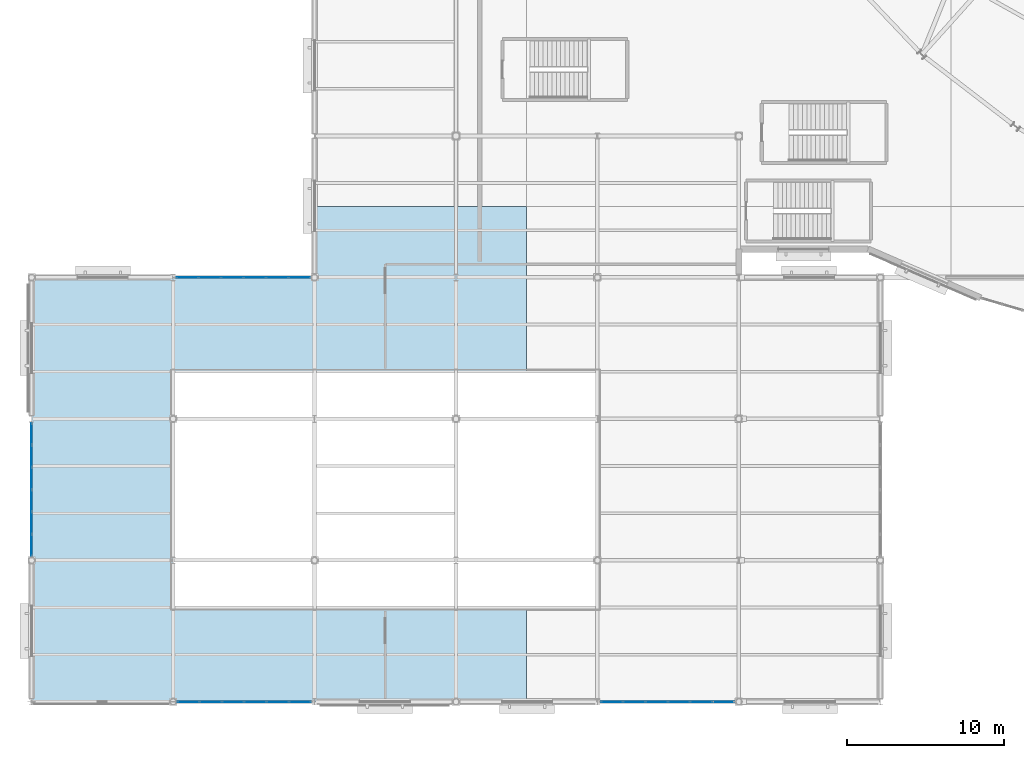
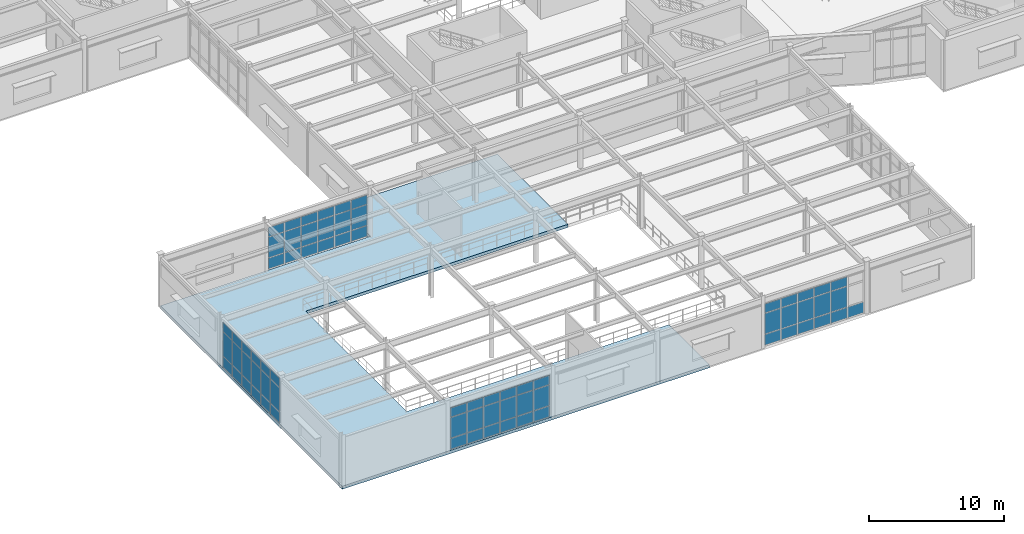
# One storey, part 52 of 86: 70 plates, 1 slab, 4 elements without a shape of their own.
"""IFC4 building model written with IfcOpenShell, lengths in metres."""

from ifc_helpers import new_model, si_unit, direction, frame, origin, origin_2d, place, context, subcontext, project, spatial, polyline, rectangle, outline, extrude, material, layer, layer_set, type_object, element, aggregate, save


model = new_model("IFC4")

# Units and contexts
model_context = context("Model", 3, precision=1e-05, world=origin(), true_north=direction((0.0, 1.0)))
body_context = subcontext(model_context, "Body", "Model", "MODEL_VIEW")
ifc_project = project(units=[si_unit("LENGTHUNIT", "METRE"), si_unit("AREAUNIT", "SQUARE_METRE"), si_unit("VOLUMEUNIT", "CUBIC_METRE"), si_unit("PLANEANGLEUNIT", "RADIAN"), si_unit("MASSUNIT", "GRAM", prefix="KILO")], contexts=[model_context])

# Site, building, storey
site_placement = place(None, origin())
site = spatial("IfcSite", under=ifc_project, at=site_placement, CompositionType="ELEMENT")
building_placement = place(site_placement, origin())
building = spatial("IfcBuilding", under=site, at=building_placement, Name="Glasvene Arena", CompositionType="ELEMENT")
storey_placement = place(building_placement, frame((0.0, 0.0, 5.39990234375)))
storey = spatial("IfcBuildingStorey", under=building, at=storey_placement, Name="L01", CompositionType="ELEMENT", Elevation=5.39990234375)

# Curtain wall, plates
ifc_material_1 = material(Name="Low-emissivity laminated double glazing", Category="glass")
curtain_wall_type_1 = type_object("IfcCurtainWallType", Name="CW-FAC-L01-856x385", PredefinedType="USERDEFINED", material=ifc_material_1)
curtain_wall_1_placement = place(storey_placement, frame((44.7548828125, 0.0, 0.0)))
curtain_wall_1 = element("IfcCurtainWall", 1, at=curtain_wall_1_placement, inside=storey, type_object=curtain_wall_type_1, Name="Unitised curtain wall CW-F-L01-150-405-0-58", ObjectType="CURTAIN WALL", PredefinedType="USERDEFINED")
ifc_layer_1 = layer(ifc_material_1, 0.028076171875)
ifc_layer_set_1 = layer_set([ifc_layer_1], Name="Low-emissivity laminated double glazing")
plate_type = type_object("IfcPlateType", Name="CW-GLZ-28", PredefinedType="CURTAIN_PANEL", material=ifc_layer_set_1)
plate_1_placement = place(storey_placement, frame((44.02880859375, 0.0, 0.10986328125), z_axis=(0.0, 0.0, 1.0), x_axis=(-1.0, 0.0, 0.0)))
plate_1 = element("IfcPlate", 2, at=plate_1_placement, type_object=plate_type, Name="CW-017 panel 1.1", PredefinedType="CURTAIN_PANEL", context=body_context, shape_type="SweptSolid", body=[
    extrude(rectangle(XDim=1.35205078125, YDim=0.028076171875, at=origin_2d()), origin(), (0.0, 0.0, 1.0), 0.965087890625),
])
plate_2_placement = place(storey_placement, frame((42.614013671875, 0.0, 0.10986328125), z_axis=(0.0, 0.0, 1.0), x_axis=(-1.0, 0.0, 0.0)))
plate_2 = element("IfcPlate", 3, at=plate_2_placement, type_object=plate_type, Name="CW-017 panel 2.1", PredefinedType="CURTAIN_PANEL", context=body_context, shape_type="SweptSolid", body=[
    extrude(rectangle(XDim=1.377197265625, YDim=0.028076171875, at=origin_2d()), origin(), (0.0, 0.0, 1.0), 0.965087890625),
])
plate_3_placement = place(storey_placement, frame((42.614013671875, 0.0, 1.125244140625), z_axis=(0.0, 0.0, 1.0), x_axis=(-1.0, 0.0, 0.0)))
plate_3 = element("IfcPlate", 4, at=plate_3_placement, type_object=plate_type, Name="CW-017 panel 2.2", PredefinedType="CURTAIN_PANEL", context=body_context, shape_type="SweptSolid", body=[
    extrude(rectangle(XDim=1.377197265625, YDim=0.028076171875, at=origin_2d()), origin(), (0.0, 0.0, 1.0), 1.85693359375),
])
plate_4_placement = place(storey_placement, frame((42.614013671875, 0.0, 3.0322265625), z_axis=(0.0, 0.0, 1.0), x_axis=(-1.0, 0.0, 0.0)))
plate_4 = element("IfcPlate", 5, at=plate_4_placement, type_object=plate_type, Name="CW-017 panel 2.3", PredefinedType="CURTAIN_PANEL", context=body_context, shape_type="SweptSolid", body=[
    extrude(rectangle(XDim=1.377197265625, YDim=0.028076171875, at=origin_2d()), origin(), (0.0, 0.0, 1.0), 0.824951171875),
])
plate_5_placement = place(storey_placement, frame((41.18701171875, 0.0, 0.10986328125), z_axis=(0.0, 0.0, 1.0), x_axis=(-1.0, 0.0, 0.0)))
plate_5 = element("IfcPlate", 6, at=plate_5_placement, type_object=plate_type, Name="CW-017 panel 3.1", PredefinedType="CURTAIN_PANEL", context=body_context, shape_type="SweptSolid", body=[
    extrude(rectangle(XDim=1.377197265625, YDim=0.028076171875, at=origin_2d()), origin(), (0.0, 0.0, 1.0), 0.965087890625),
])
plate_6_placement = place(storey_placement, frame((41.18701171875, 0.0, 1.125244140625), z_axis=(0.0, 0.0, 1.0), x_axis=(-1.0, 0.0, 0.0)))
plate_6 = element("IfcPlate", 7, at=plate_6_placement, type_object=plate_type, Name="CW-017 panel 3.2", PredefinedType="CURTAIN_PANEL", context=body_context, shape_type="SweptSolid", body=[
    extrude(rectangle(XDim=1.377197265625, YDim=0.028076171875, at=origin_2d()), origin(), (0.0, 0.0, 1.0), 1.85693359375),
])
plate_7_placement = place(storey_placement, frame((41.18701171875, 0.0, 3.0322265625), z_axis=(0.0, 0.0, 1.0), x_axis=(-1.0, 0.0, 0.0)))
plate_7 = element("IfcPlate", 8, at=plate_7_placement, type_object=plate_type, Name="CW-017 panel 3.3", PredefinedType="CURTAIN_PANEL", context=body_context, shape_type="SweptSolid", body=[
    extrude(rectangle(XDim=1.377197265625, YDim=0.028076171875, at=origin_2d()), origin(), (0.0, 0.0, 1.0), 0.824951171875),
])
plate_8_placement = place(storey_placement, frame((39.759765625, 0.0, 0.10986328125), z_axis=(0.0, 0.0, 1.0), x_axis=(-1.0, 0.0, 0.0)))
plate_8 = element("IfcPlate", 9, at=plate_8_placement, type_object=plate_type, Name="CW-017 panel 4.1", PredefinedType="CURTAIN_PANEL", context=body_context, shape_type="SweptSolid", body=[
    extrude(rectangle(XDim=1.377197265625, YDim=0.028076171875, at=origin_2d()), origin(), (0.0, 0.0, 1.0), 0.965087890625),
])
plate_9_placement = place(storey_placement, frame((39.759765625, 0.0, 1.125244140625), z_axis=(0.0, 0.0, 1.0), x_axis=(-1.0, 0.0, 0.0)))
plate_9 = element("IfcPlate", 10, at=plate_9_placement, type_object=plate_type, Name="CW-017 panel 4.2", PredefinedType="CURTAIN_PANEL", context=body_context, shape_type="SweptSolid", body=[
    extrude(rectangle(XDim=1.377197265625, YDim=0.028076171875, at=origin_2d()), origin(), (0.0, 0.0, 1.0), 1.85693359375),
])
plate_10_placement = place(storey_placement, frame((39.759765625, 0.0, 3.0322265625), z_axis=(0.0, 0.0, 1.0), x_axis=(-1.0, 0.0, 0.0)))
plate_10 = element("IfcPlate", 11, at=plate_10_placement, type_object=plate_type, Name="CW-017 panel 4.3", PredefinedType="CURTAIN_PANEL", context=body_context, shape_type="SweptSolid", body=[
    extrude(rectangle(XDim=1.377197265625, YDim=0.028076171875, at=origin_2d()), origin(), (0.0, 0.0, 1.0), 0.824951171875),
])
plate_11_placement = place(storey_placement, frame((38.332763671875, 0.0, 0.10986328125), z_axis=(0.0, 0.0, 1.0), x_axis=(-1.0, 0.0, 0.0)))
plate_11 = element("IfcPlate", 12, at=plate_11_placement, type_object=plate_type, Name="CW-017 panel 5.1", PredefinedType="CURTAIN_PANEL", context=body_context, shape_type="SweptSolid", body=[
    extrude(rectangle(XDim=1.377197265625, YDim=0.028076171875, at=origin_2d()), origin(), (0.0, 0.0, 1.0), 0.965087890625),
])
plate_12_placement = place(storey_placement, frame((38.332763671875, 0.0, 1.125244140625), z_axis=(0.0, 0.0, 1.0), x_axis=(-1.0, 0.0, 0.0)))
plate_12 = element("IfcPlate", 13, at=plate_12_placement, type_object=plate_type, Name="CW-017 panel 5.2", PredefinedType="CURTAIN_PANEL", context=body_context, shape_type="SweptSolid", body=[
    extrude(rectangle(XDim=1.377197265625, YDim=0.028076171875, at=origin_2d()), origin(), (0.0, 0.0, 1.0), 1.85693359375),
])
plate_13_placement = place(storey_placement, frame((38.332763671875, 0.0, 3.0322265625), z_axis=(0.0, 0.0, 1.0), x_axis=(-1.0, 0.0, 0.0)))
plate_13 = element("IfcPlate", 14, at=plate_13_placement, type_object=plate_type, Name="CW-017 panel 5.3", PredefinedType="CURTAIN_PANEL", context=body_context, shape_type="SweptSolid", body=[
    extrude(rectangle(XDim=1.377197265625, YDim=0.028076171875, at=origin_2d()), origin(), (0.0, 0.0, 1.0), 0.824951171875),
])
plate_14_placement = place(storey_placement, frame((36.91796875, 0.0, 0.10986328125), z_axis=(0.0, 0.0, 1.0), x_axis=(-1.0, 0.0, 0.0)))
plate_14 = element("IfcPlate", 15, at=plate_14_placement, type_object=plate_type, Name="CW-017 panel 6.1", PredefinedType="CURTAIN_PANEL", context=body_context, shape_type="SweptSolid", body=[
    extrude(rectangle(XDim=1.35205078125, YDim=0.028076171875, at=origin_2d()), origin(), (0.0, 0.0, 1.0), 0.965087890625),
])
plate_15_placement = place(storey_placement, frame((36.91796875, 0.0, 1.125244140625), z_axis=(0.0, 0.0, 1.0), x_axis=(-1.0, 0.0, 0.0)))
plate_15 = element("IfcPlate", 16, at=plate_15_placement, type_object=plate_type, Name="CW-017 panel 6.2", PredefinedType="CURTAIN_PANEL", context=body_context, shape_type="SweptSolid", body=[
    extrude(rectangle(XDim=1.35205078125, YDim=0.028076171875, at=origin_2d()), origin(), (0.0, 0.0, 1.0), 1.85693359375),
])
plate_16_placement = place(storey_placement, frame((36.91796875, 0.0, 3.0322265625), z_axis=(0.0, 0.0, 1.0), x_axis=(-1.0, 0.0, 0.0)))
plate_16 = element("IfcPlate", 17, at=plate_16_placement, type_object=plate_type, Name="CW-017 panel 6.3", PredefinedType="CURTAIN_PANEL", context=body_context, shape_type="SweptSolid", body=[
    extrude(rectangle(XDim=1.35205078125, YDim=0.028076171875, at=origin_2d()), origin(), (0.0, 0.0, 1.0), 0.824951171875),
])
aggregate(curtain_wall_1, [plate_1, plate_2, plate_3, plate_4, plate_5, plate_6, plate_7, plate_8, plate_9, plate_10, plate_11, plate_12, plate_13, plate_14, plate_15, plate_16])

curtain_wall_2_placement = place(storey_placement, frame((17.80810546875, 0.0, 0.0)))
curtain_wall_2 = element("IfcCurtainWall", 18, at=curtain_wall_2_placement, inside=storey, type_object=curtain_wall_type_1, Name="Unitised curtain wall CW-F-L01-150-135-0-61", ObjectType="CURTAIN WALL", PredefinedType="USERDEFINED")
plate_17_placement = place(storey_placement, frame((17.08203125, 0.0, 0.10986328125), z_axis=(0.0, 0.0, 1.0), x_axis=(-1.0, 0.0, 0.0)))
plate_17 = element("IfcPlate", 19, at=plate_17_placement, type_object=plate_type, Name="CW-017 panel 1.1", PredefinedType="CURTAIN_PANEL", context=body_context, shape_type="SweptSolid", body=[
    extrude(rectangle(XDim=1.35205078125, YDim=0.028076171875, at=origin_2d()), origin(), (0.0, 0.0, 1.0), 0.965087890625),
])
plate_18_placement = place(storey_placement, frame((17.08203125, 0.0, 1.125244140625), z_axis=(0.0, 0.0, 1.0), x_axis=(-1.0, 0.0, 0.0)))
plate_18 = element("IfcPlate", 20, at=plate_18_placement, type_object=plate_type, Name="CW-017 panel 1.2", PredefinedType="CURTAIN_PANEL", context=body_context, shape_type="SweptSolid", body=[
    extrude(rectangle(XDim=1.35205078125, YDim=0.028076171875, at=origin_2d()), origin(), (0.0, 0.0, 1.0), 1.85693359375),
])
plate_19_placement = place(storey_placement, frame((17.08203125, 0.0, 3.0322265625), z_axis=(0.0, 0.0, 1.0), x_axis=(-1.0, 0.0, 0.0)))
plate_19 = element("IfcPlate", 21, at=plate_19_placement, type_object=plate_type, Name="CW-017 panel 1.3", PredefinedType="CURTAIN_PANEL", context=body_context, shape_type="SweptSolid", body=[
    extrude(rectangle(XDim=1.35205078125, YDim=0.028076171875, at=origin_2d()), origin(), (0.0, 0.0, 1.0), 0.824951171875),
])
plate_20_placement = place(storey_placement, frame((15.667236328125, 0.0, 0.10986328125), z_axis=(0.0, 0.0, 1.0), x_axis=(-1.0, 0.0, 0.0)))
plate_20 = element("IfcPlate", 22, at=plate_20_placement, type_object=plate_type, Name="CW-017 panel 2.1", PredefinedType="CURTAIN_PANEL", context=body_context, shape_type="SweptSolid", body=[
    extrude(rectangle(XDim=1.377197265625, YDim=0.028076171875, at=origin_2d()), origin(), (0.0, 0.0, 1.0), 0.965087890625),
])
plate_21_placement = place(storey_placement, frame((15.667236328125, 0.0, 1.125244140625), z_axis=(0.0, 0.0, 1.0), x_axis=(-1.0, 0.0, 0.0)))
plate_21 = element("IfcPlate", 23, at=plate_21_placement, type_object=plate_type, Name="CW-017 panel 2.2", PredefinedType="CURTAIN_PANEL", context=body_context, shape_type="SweptSolid", body=[
    extrude(rectangle(XDim=1.377197265625, YDim=0.028076171875, at=origin_2d()), origin(), (0.0, 0.0, 1.0), 1.85693359375),
])
plate_22_placement = place(storey_placement, frame((15.667236328125, 0.0, 3.0322265625), z_axis=(0.0, 0.0, 1.0), x_axis=(-1.0, 0.0, 0.0)))
plate_22 = element("IfcPlate", 24, at=plate_22_placement, type_object=plate_type, Name="CW-017 panel 2.3", PredefinedType="CURTAIN_PANEL", context=body_context, shape_type="SweptSolid", body=[
    extrude(rectangle(XDim=1.377197265625, YDim=0.028076171875, at=origin_2d()), origin(), (0.0, 0.0, 1.0), 0.824951171875),
])
plate_23_placement = place(storey_placement, frame((14.240234375, 0.0, 0.10986328125), z_axis=(0.0, 0.0, 1.0), x_axis=(-1.0, 0.0, 0.0)))
plate_23 = element("IfcPlate", 25, at=plate_23_placement, type_object=plate_type, Name="CW-017 panel 3.1", PredefinedType="CURTAIN_PANEL", context=body_context, shape_type="SweptSolid", body=[
    extrude(rectangle(XDim=1.377197265625, YDim=0.028076171875, at=origin_2d()), origin(), (0.0, 0.0, 1.0), 0.965087890625),
])
plate_24_placement = place(storey_placement, frame((14.240234375, 0.0, 1.125244140625), z_axis=(0.0, 0.0, 1.0), x_axis=(-1.0, 0.0, 0.0)))
plate_24 = element("IfcPlate", 26, at=plate_24_placement, type_object=plate_type, Name="CW-017 panel 3.2", PredefinedType="CURTAIN_PANEL", context=body_context, shape_type="SweptSolid", body=[
    extrude(rectangle(XDim=1.377197265625, YDim=0.028076171875, at=origin_2d()), origin(), (0.0, 0.0, 1.0), 1.85693359375),
])
plate_25_placement = place(storey_placement, frame((14.240234375, 0.0, 3.0322265625), z_axis=(0.0, 0.0, 1.0), x_axis=(-1.0, 0.0, 0.0)))
plate_25 = element("IfcPlate", 27, at=plate_25_placement, type_object=plate_type, Name="CW-017 panel 3.3", PredefinedType="CURTAIN_PANEL", context=body_context, shape_type="SweptSolid", body=[
    extrude(rectangle(XDim=1.377197265625, YDim=0.028076171875, at=origin_2d()), origin(), (0.0, 0.0, 1.0), 0.824951171875),
])
plate_26_placement = place(storey_placement, frame((12.81298828125, 0.0, 0.10986328125), z_axis=(0.0, 0.0, 1.0), x_axis=(-1.0, 0.0, 0.0)))
plate_26 = element("IfcPlate", 28, at=plate_26_placement, type_object=plate_type, Name="CW-017 panel 4.1", PredefinedType="CURTAIN_PANEL", context=body_context, shape_type="SweptSolid", body=[
    extrude(rectangle(XDim=1.377197265625, YDim=0.028076171875, at=origin_2d()), origin(), (0.0, 0.0, 1.0), 0.965087890625),
])
plate_27_placement = place(storey_placement, frame((12.81298828125, 0.0, 1.125244140625), z_axis=(0.0, 0.0, 1.0), x_axis=(-1.0, 0.0, 0.0)))
plate_27 = element("IfcPlate", 29, at=plate_27_placement, type_object=plate_type, Name="CW-017 panel 4.2", PredefinedType="CURTAIN_PANEL", context=body_context, shape_type="SweptSolid", body=[
    extrude(rectangle(XDim=1.377197265625, YDim=0.028076171875, at=origin_2d()), origin(), (0.0, 0.0, 1.0), 1.85693359375),
])
plate_28_placement = place(storey_placement, frame((12.81298828125, 0.0, 3.0322265625), z_axis=(0.0, 0.0, 1.0), x_axis=(-1.0, 0.0, 0.0)))
plate_28 = element("IfcPlate", 30, at=plate_28_placement, type_object=plate_type, Name="CW-017 panel 4.3", PredefinedType="CURTAIN_PANEL", context=body_context, shape_type="SweptSolid", body=[
    extrude(rectangle(XDim=1.377197265625, YDim=0.028076171875, at=origin_2d()), origin(), (0.0, 0.0, 1.0), 0.824951171875),
])
plate_29_placement = place(storey_placement, frame((11.385986328125, 0.0, 0.10986328125), z_axis=(0.0, 0.0, 1.0), x_axis=(-1.0, 0.0, 0.0)))
plate_29 = element("IfcPlate", 31, at=plate_29_placement, type_object=plate_type, Name="CW-017 panel 5.1", PredefinedType="CURTAIN_PANEL", context=body_context, shape_type="SweptSolid", body=[
    extrude(rectangle(XDim=1.377197265625, YDim=0.028076171875, at=origin_2d()), origin(), (0.0, 0.0, 1.0), 0.965087890625),
])
plate_30_placement = place(storey_placement, frame((11.385986328125, 0.0, 1.125244140625), z_axis=(0.0, 0.0, 1.0), x_axis=(-1.0, 0.0, 0.0)))
plate_30 = element("IfcPlate", 32, at=plate_30_placement, type_object=plate_type, Name="CW-017 panel 5.2", PredefinedType="CURTAIN_PANEL", context=body_context, shape_type="SweptSolid", body=[
    extrude(rectangle(XDim=1.377197265625, YDim=0.028076171875, at=origin_2d()), origin(), (0.0, 0.0, 1.0), 1.85693359375),
])
plate_31_placement = place(storey_placement, frame((11.385986328125, 0.0, 3.0322265625), z_axis=(0.0, 0.0, 1.0), x_axis=(-1.0, 0.0, 0.0)))
plate_31 = element("IfcPlate", 33, at=plate_31_placement, type_object=plate_type, Name="CW-017 panel 5.3", PredefinedType="CURTAIN_PANEL", context=body_context, shape_type="SweptSolid", body=[
    extrude(rectangle(XDim=1.377197265625, YDim=0.028076171875, at=origin_2d()), origin(), (0.0, 0.0, 1.0), 0.824951171875),
])
plate_32_placement = place(storey_placement, frame((9.97119140625, 0.0, 0.10986328125), z_axis=(0.0, 0.0, 1.0), x_axis=(-1.0, 0.0, 0.0)))
plate_32 = element("IfcPlate", 34, at=plate_32_placement, type_object=plate_type, Name="CW-017 panel 6.1", PredefinedType="CURTAIN_PANEL", context=body_context, shape_type="SweptSolid", body=[
    extrude(rectangle(XDim=1.35205078125, YDim=0.028076171875, at=origin_2d()), origin(), (0.0, 0.0, 1.0), 0.965087890625),
])
plate_33_placement = place(storey_placement, frame((9.97119140625, 0.0, 1.125244140625), z_axis=(0.0, 0.0, 1.0), x_axis=(-1.0, 0.0, 0.0)))
plate_33 = element("IfcPlate", 35, at=plate_33_placement, type_object=plate_type, Name="CW-017 panel 6.2", PredefinedType="CURTAIN_PANEL", context=body_context, shape_type="SweptSolid", body=[
    extrude(rectangle(XDim=1.35205078125, YDim=0.028076171875, at=origin_2d()), origin(), (0.0, 0.0, 1.0), 1.85693359375),
])
plate_34_placement = place(storey_placement, frame((9.97119140625, 0.0, 3.0322265625), z_axis=(0.0, 0.0, 1.0), x_axis=(-1.0, 0.0, 0.0)))
plate_34 = element("IfcPlate", 36, at=plate_34_placement, type_object=plate_type, Name="CW-017 panel 6.3", PredefinedType="CURTAIN_PANEL", context=body_context, shape_type="SweptSolid", body=[
    extrude(rectangle(XDim=1.35205078125, YDim=0.028076171875, at=origin_2d()), origin(), (0.0, 0.0, 1.0), 0.824951171875),
])
aggregate(curtain_wall_2, [plate_17, plate_18, plate_19, plate_20, plate_21, plate_22, plate_23, plate_24, plate_25, plate_26, plate_27, plate_28, plate_29, plate_30, plate_31, plate_32, plate_33, plate_34])

curtain_wall_type_2 = type_object("IfcCurtainWallType", Name="CW-FAC-L01-851x416", PredefinedType="USERDEFINED", material=ifc_material_1)
curtain_wall_3_placement = place(storey_placement, frame((0.0, 9.2451171875, 0.0)))
curtain_wall_3 = element("IfcCurtainWall", 37, at=curtain_wall_3_placement, inside=storey, type_object=curtain_wall_type_2, Name="Unitised curtain wall CW-F-L01-180-0-135-64", ObjectType="CURTAIN WALL", PredefinedType="USERDEFINED")
plate_35_placement = place(storey_placement, frame((0.0, 9.967041015625, 0.10986328125), z_axis=(0.0, 0.0, 1.0), x_axis=(0.0, 1.0, 0.0)))
plate_35 = element("IfcPlate", 38, at=plate_35_placement, type_object=plate_type, Name="CW-016 panel 1.1", PredefinedType="CURTAIN_PANEL", context=body_context, shape_type="SweptSolid", body=[
    extrude(rectangle(XDim=1.34375, YDim=0.028076171875, at=origin_2d()), origin(), (0.0, 0.0, 1.0), 0.965087890625),
])
plate_36_placement = place(storey_placement, frame((0.0, 9.967041015625, 1.125), z_axis=(0.0, 0.0, 1.0), x_axis=(0.0, 1.0, 0.0)))
plate_36 = element("IfcPlate", 39, at=plate_36_placement, type_object=plate_type, Name="CW-016 panel 1.2", PredefinedType="CURTAIN_PANEL", context=body_context, shape_type="SweptSolid", body=[
    extrude(rectangle(XDim=1.34375, YDim=0.028076171875, at=origin_2d()), origin(), (0.0, 0.0, 1.0), 2.1650390625),
])
plate_37_placement = place(storey_placement, frame((0.0, 9.967041015625, 3.34033203125), z_axis=(0.0, 0.0, 1.0), x_axis=(0.0, 1.0, 0.0)))
plate_37 = element("IfcPlate", 40, at=plate_37_placement, type_object=plate_type, Name="CW-016 panel 1.3", PredefinedType="CURTAIN_PANEL", context=body_context, shape_type="SweptSolid", body=[
    extrude(rectangle(XDim=1.34375, YDim=0.028076171875, at=origin_2d()), origin(), (0.0, 0.0, 1.0), 0.824951171875),
])
plate_38_placement = place(storey_placement, frame((0.0, 11.373291015625, 0.10986328125), z_axis=(0.0, 0.0, 1.0), x_axis=(0.0, 1.0, 0.0)))
plate_38 = element("IfcPlate", 41, at=plate_38_placement, type_object=plate_type, Name="CW-016 panel 2.1", PredefinedType="CURTAIN_PANEL", context=body_context, shape_type="SweptSolid", body=[
    extrude(rectangle(XDim=1.368896484375, YDim=0.028076171875, at=origin_2d()), origin(), (0.0, 0.0, 1.0), 0.965087890625),
])
plate_39_placement = place(storey_placement, frame((0.0, 11.373291015625, 1.125), z_axis=(0.0, 0.0, 1.0), x_axis=(0.0, 1.0, 0.0)))
plate_39 = element("IfcPlate", 42, at=plate_39_placement, type_object=plate_type, Name="CW-016 panel 2.2", PredefinedType="CURTAIN_PANEL", context=body_context, shape_type="SweptSolid", body=[
    extrude(rectangle(XDim=1.368896484375, YDim=0.028076171875, at=origin_2d()), origin(), (0.0, 0.0, 1.0), 2.1650390625),
])
plate_40_placement = place(storey_placement, frame((0.0, 11.373291015625, 3.34033203125), z_axis=(0.0, 0.0, 1.0), x_axis=(0.0, 1.0, 0.0)))
plate_40 = element("IfcPlate", 43, at=plate_40_placement, type_object=plate_type, Name="CW-016 panel 2.3", PredefinedType="CURTAIN_PANEL", context=body_context, shape_type="SweptSolid", body=[
    extrude(rectangle(XDim=1.368896484375, YDim=0.028076171875, at=origin_2d()), origin(), (0.0, 0.0, 1.0), 0.824951171875),
])
plate_41_placement = place(storey_placement, frame((0.0, 12.792236328125, 0.10986328125), z_axis=(0.0, 0.0, 1.0), x_axis=(0.0, 1.0, 0.0)))
plate_41 = element("IfcPlate", 44, at=plate_41_placement, type_object=plate_type, Name="CW-016 panel 3.1", PredefinedType="CURTAIN_PANEL", context=body_context, shape_type="SweptSolid", body=[
    extrude(rectangle(XDim=1.368896484375, YDim=0.028076171875, at=origin_2d()), origin(), (0.0, 0.0, 1.0), 0.965087890625),
])
plate_42_placement = place(storey_placement, frame((0.0, 12.792236328125, 1.125), z_axis=(0.0, 0.0, 1.0), x_axis=(0.0, 1.0, 0.0)))
plate_42 = element("IfcPlate", 45, at=plate_42_placement, type_object=plate_type, Name="CW-016 panel 3.2", PredefinedType="CURTAIN_PANEL", context=body_context, shape_type="SweptSolid", body=[
    extrude(rectangle(XDim=1.368896484375, YDim=0.028076171875, at=origin_2d()), origin(), (0.0, 0.0, 1.0), 2.1650390625),
])
plate_43_placement = place(storey_placement, frame((0.0, 12.792236328125, 3.34033203125), z_axis=(0.0, 0.0, 1.0), x_axis=(0.0, 1.0, 0.0)))
plate_43 = element("IfcPlate", 46, at=plate_43_placement, type_object=plate_type, Name="CW-016 panel 3.3", PredefinedType="CURTAIN_PANEL", context=body_context, shape_type="SweptSolid", body=[
    extrude(rectangle(XDim=1.368896484375, YDim=0.028076171875, at=origin_2d()), origin(), (0.0, 0.0, 1.0), 0.824951171875),
])
plate_44_placement = place(storey_placement, frame((0.0, 14.2109375, 0.10986328125), z_axis=(0.0, 0.0, 1.0), x_axis=(0.0, 1.0, 0.0)))
plate_44 = element("IfcPlate", 47, at=plate_44_placement, type_object=plate_type, Name="CW-016 panel 4.1", PredefinedType="CURTAIN_PANEL", context=body_context, shape_type="SweptSolid", body=[
    extrude(rectangle(XDim=1.368896484375, YDim=0.028076171875, at=origin_2d()), origin(), (0.0, 0.0, 1.0), 0.965087890625),
])
plate_45_placement = place(storey_placement, frame((0.0, 14.2109375, 1.125), z_axis=(0.0, 0.0, 1.0), x_axis=(0.0, 1.0, 0.0)))
plate_45 = element("IfcPlate", 48, at=plate_45_placement, type_object=plate_type, Name="CW-016 panel 4.2", PredefinedType="CURTAIN_PANEL", context=body_context, shape_type="SweptSolid", body=[
    extrude(rectangle(XDim=1.368896484375, YDim=0.028076171875, at=origin_2d()), origin(), (0.0, 0.0, 1.0), 2.1650390625),
])
plate_46_placement = place(storey_placement, frame((0.0, 14.2109375, 3.34033203125), z_axis=(0.0, 0.0, 1.0), x_axis=(0.0, 1.0, 0.0)))
plate_46 = element("IfcPlate", 49, at=plate_46_placement, type_object=plate_type, Name="CW-016 panel 4.3", PredefinedType="CURTAIN_PANEL", context=body_context, shape_type="SweptSolid", body=[
    extrude(rectangle(XDim=1.368896484375, YDim=0.028076171875, at=origin_2d()), origin(), (0.0, 0.0, 1.0), 0.824951171875),
])
plate_47_placement = place(storey_placement, frame((0.0, 15.6298828125, 0.10986328125), z_axis=(0.0, 0.0, 1.0), x_axis=(0.0, 1.0, 0.0)))
plate_47 = element("IfcPlate", 50, at=plate_47_placement, type_object=plate_type, Name="CW-016 panel 5.1", PredefinedType="CURTAIN_PANEL", context=body_context, shape_type="SweptSolid", body=[
    extrude(rectangle(XDim=1.368896484375, YDim=0.028076171875, at=origin_2d()), origin(), (0.0, 0.0, 1.0), 0.965087890625),
])
plate_48_placement = place(storey_placement, frame((0.0, 15.6298828125, 1.125), z_axis=(0.0, 0.0, 1.0), x_axis=(0.0, 1.0, 0.0)))
plate_48 = element("IfcPlate", 51, at=plate_48_placement, type_object=plate_type, Name="CW-016 panel 5.2", PredefinedType="CURTAIN_PANEL", context=body_context, shape_type="SweptSolid", body=[
    extrude(rectangle(XDim=1.368896484375, YDim=0.028076171875, at=origin_2d()), origin(), (0.0, 0.0, 1.0), 2.1650390625),
])
plate_49_placement = place(storey_placement, frame((0.0, 15.6298828125, 3.34033203125), z_axis=(0.0, 0.0, 1.0), x_axis=(0.0, 1.0, 0.0)))
plate_49 = element("IfcPlate", 52, at=plate_49_placement, type_object=plate_type, Name="CW-016 panel 5.3", PredefinedType="CURTAIN_PANEL", context=body_context, shape_type="SweptSolid", body=[
    extrude(rectangle(XDim=1.368896484375, YDim=0.028076171875, at=origin_2d()), origin(), (0.0, 0.0, 1.0), 0.824951171875),
])
plate_50_placement = place(storey_placement, frame((0.0, 17.0361328125, 0.10986328125), z_axis=(0.0, 0.0, 1.0), x_axis=(0.0, 1.0, 0.0)))
plate_50 = element("IfcPlate", 53, at=plate_50_placement, type_object=plate_type, Name="CW-016 panel 6.1", PredefinedType="CURTAIN_PANEL", context=body_context, shape_type="SweptSolid", body=[
    extrude(rectangle(XDim=1.34375, YDim=0.028076171875, at=origin_2d()), origin(), (0.0, 0.0, 1.0), 0.965087890625),
])
plate_51_placement = place(storey_placement, frame((0.0, 17.0361328125, 1.125), z_axis=(0.0, 0.0, 1.0), x_axis=(0.0, 1.0, 0.0)))
plate_51 = element("IfcPlate", 54, at=plate_51_placement, type_object=plate_type, Name="CW-016 panel 6.2", PredefinedType="CURTAIN_PANEL", context=body_context, shape_type="SweptSolid", body=[
    extrude(rectangle(XDim=1.34375, YDim=0.028076171875, at=origin_2d()), origin(), (0.0, 0.0, 1.0), 2.1650390625),
])
plate_52_placement = place(storey_placement, frame((0.0, 17.0361328125, 3.34033203125), z_axis=(0.0, 0.0, 1.0), x_axis=(0.0, 1.0, 0.0)))
plate_52 = element("IfcPlate", 55, at=plate_52_placement, type_object=plate_type, Name="CW-016 panel 6.3", PredefinedType="CURTAIN_PANEL", context=body_context, shape_type="SweptSolid", body=[
    extrude(rectangle(XDim=1.34375, YDim=0.028076171875, at=origin_2d()), origin(), (0.0, 0.0, 1.0), 0.824951171875),
])
aggregate(curtain_wall_3, [plate_35, plate_36, plate_37, plate_38, plate_39, plate_40, plate_41, plate_42, plate_43, plate_44, plate_45, plate_46, plate_47, plate_48, plate_49, plate_50, plate_51, plate_52])

curtain_wall_4_placement = place(storey_placement, frame((9.19189453125, 27.0, 0.0)))
curtain_wall_4 = element("IfcCurtainWall", 56, at=curtain_wall_4_placement, inside=storey, type_object=curtain_wall_type_1, Name="Unitised curtain wall CW-F-L01-150-135-270-67", ObjectType="CURTAIN WALL", PredefinedType="USERDEFINED")
plate_53_placement = place(storey_placement, frame((9.91796875, 27.0, 0.10986328125), z_axis=(0.0, 0.0, 1.0), x_axis=(1.0, 0.0, 0.0)))
plate_53 = element("IfcPlate", 57, at=plate_53_placement, type_object=plate_type, Name="CW-017 panel 1.1", PredefinedType="CURTAIN_PANEL", context=body_context, shape_type="SweptSolid", body=[
    extrude(rectangle(XDim=1.35205078125, YDim=0.028076171875, at=origin_2d()), origin(), (0.0, 0.0, 1.0), 0.965087890625),
])
plate_54_placement = place(storey_placement, frame((9.91796875, 27.0, 1.125244140625), z_axis=(0.0, 0.0, 1.0), x_axis=(1.0, 0.0, 0.0)))
plate_54 = element("IfcPlate", 58, at=plate_54_placement, type_object=plate_type, Name="CW-017 panel 1.2", PredefinedType="CURTAIN_PANEL", context=body_context, shape_type="SweptSolid", body=[
    extrude(rectangle(XDim=1.35205078125, YDim=0.028076171875, at=origin_2d()), origin(), (0.0, 0.0, 1.0), 1.85693359375),
])
plate_55_placement = place(storey_placement, frame((9.91796875, 27.0, 3.0322265625), z_axis=(0.0, 0.0, 1.0), x_axis=(1.0, 0.0, 0.0)))
plate_55 = element("IfcPlate", 59, at=plate_55_placement, type_object=plate_type, Name="CW-017 panel 1.3", PredefinedType="CURTAIN_PANEL", context=body_context, shape_type="SweptSolid", body=[
    extrude(rectangle(XDim=1.35205078125, YDim=0.028076171875, at=origin_2d()), origin(), (0.0, 0.0, 1.0), 0.824951171875),
])
plate_56_placement = place(storey_placement, frame((11.332763671875, 27.0, 0.10986328125), z_axis=(0.0, 0.0, 1.0), x_axis=(1.0, 0.0, 0.0)))
plate_56 = element("IfcPlate", 60, at=plate_56_placement, type_object=plate_type, Name="CW-017 panel 2.1", PredefinedType="CURTAIN_PANEL", context=body_context, shape_type="SweptSolid", body=[
    extrude(rectangle(XDim=1.377197265625, YDim=0.028076171875, at=origin_2d()), origin(), (0.0, 0.0, 1.0), 0.965087890625),
])
plate_57_placement = place(storey_placement, frame((11.332763671875, 27.0, 1.125244140625), z_axis=(0.0, 0.0, 1.0), x_axis=(1.0, 0.0, 0.0)))
plate_57 = element("IfcPlate", 61, at=plate_57_placement, type_object=plate_type, Name="CW-017 panel 2.2", PredefinedType="CURTAIN_PANEL", context=body_context, shape_type="SweptSolid", body=[
    extrude(rectangle(XDim=1.377197265625, YDim=0.028076171875, at=origin_2d()), origin(), (0.0, 0.0, 1.0), 1.85693359375),
])
plate_58_placement = place(storey_placement, frame((11.332763671875, 27.0, 3.0322265625), z_axis=(0.0, 0.0, 1.0), x_axis=(1.0, 0.0, 0.0)))
plate_58 = element("IfcPlate", 62, at=plate_58_placement, type_object=plate_type, Name="CW-017 panel 2.3", PredefinedType="CURTAIN_PANEL", context=body_context, shape_type="SweptSolid", body=[
    extrude(rectangle(XDim=1.377197265625, YDim=0.028076171875, at=origin_2d()), origin(), (0.0, 0.0, 1.0), 0.824951171875),
])
plate_59_placement = place(storey_placement, frame((12.759765625, 27.0, 0.10986328125), z_axis=(0.0, 0.0, 1.0), x_axis=(1.0, 0.0, 0.0)))
plate_59 = element("IfcPlate", 63, at=plate_59_placement, type_object=plate_type, Name="CW-017 panel 3.1", PredefinedType="CURTAIN_PANEL", context=body_context, shape_type="SweptSolid", body=[
    extrude(rectangle(XDim=1.377197265625, YDim=0.028076171875, at=origin_2d()), origin(), (0.0, 0.0, 1.0), 0.965087890625),
])
plate_60_placement = place(storey_placement, frame((12.759765625, 27.0, 1.125244140625), z_axis=(0.0, 0.0, 1.0), x_axis=(1.0, 0.0, 0.0)))
plate_60 = element("IfcPlate", 64, at=plate_60_placement, type_object=plate_type, Name="CW-017 panel 3.2", PredefinedType="CURTAIN_PANEL", context=body_context, shape_type="SweptSolid", body=[
    extrude(rectangle(XDim=1.377197265625, YDim=0.028076171875, at=origin_2d()), origin(), (0.0, 0.0, 1.0), 1.85693359375),
])
plate_61_placement = place(storey_placement, frame((12.759765625, 27.0, 3.0322265625), z_axis=(0.0, 0.0, 1.0), x_axis=(1.0, 0.0, 0.0)))
plate_61 = element("IfcPlate", 65, at=plate_61_placement, type_object=plate_type, Name="CW-017 panel 3.3", PredefinedType="CURTAIN_PANEL", context=body_context, shape_type="SweptSolid", body=[
    extrude(rectangle(XDim=1.377197265625, YDim=0.028076171875, at=origin_2d()), origin(), (0.0, 0.0, 1.0), 0.824951171875),
])
plate_62_placement = place(storey_placement, frame((14.18701171875, 27.0, 0.10986328125), z_axis=(0.0, 0.0, 1.0), x_axis=(1.0, 0.0, 0.0)))
plate_62 = element("IfcPlate", 66, at=plate_62_placement, type_object=plate_type, Name="CW-017 panel 4.1", PredefinedType="CURTAIN_PANEL", context=body_context, shape_type="SweptSolid", body=[
    extrude(rectangle(XDim=1.377197265625, YDim=0.028076171875, at=origin_2d()), origin(), (0.0, 0.0, 1.0), 0.965087890625),
])
plate_63_placement = place(storey_placement, frame((14.18701171875, 27.0, 1.125244140625), z_axis=(0.0, 0.0, 1.0), x_axis=(1.0, 0.0, 0.0)))
plate_63 = element("IfcPlate", 67, at=plate_63_placement, type_object=plate_type, Name="CW-017 panel 4.2", PredefinedType="CURTAIN_PANEL", context=body_context, shape_type="SweptSolid", body=[
    extrude(rectangle(XDim=1.377197265625, YDim=0.028076171875, at=origin_2d()), origin(), (0.0, 0.0, 1.0), 1.85693359375),
])
plate_64_placement = place(storey_placement, frame((14.18701171875, 27.0, 3.0322265625), z_axis=(0.0, 0.0, 1.0), x_axis=(1.0, 0.0, 0.0)))
plate_64 = element("IfcPlate", 68, at=plate_64_placement, type_object=plate_type, Name="CW-017 panel 4.3", PredefinedType="CURTAIN_PANEL", context=body_context, shape_type="SweptSolid", body=[
    extrude(rectangle(XDim=1.377197265625, YDim=0.028076171875, at=origin_2d()), origin(), (0.0, 0.0, 1.0), 0.824951171875),
])
plate_65_placement = place(storey_placement, frame((15.614013671875, 27.0, 0.10986328125), z_axis=(0.0, 0.0, 1.0), x_axis=(1.0, 0.0, 0.0)))
plate_65 = element("IfcPlate", 69, at=plate_65_placement, type_object=plate_type, Name="CW-017 panel 5.1", PredefinedType="CURTAIN_PANEL", context=body_context, shape_type="SweptSolid", body=[
    extrude(rectangle(XDim=1.377197265625, YDim=0.028076171875, at=origin_2d()), origin(), (0.0, 0.0, 1.0), 0.965087890625),
])
plate_66_placement = place(storey_placement, frame((15.614013671875, 27.0, 1.125244140625), z_axis=(0.0, 0.0, 1.0), x_axis=(1.0, 0.0, 0.0)))
plate_66 = element("IfcPlate", 70, at=plate_66_placement, type_object=plate_type, Name="CW-017 panel 5.2", PredefinedType="CURTAIN_PANEL", context=body_context, shape_type="SweptSolid", body=[
    extrude(rectangle(XDim=1.377197265625, YDim=0.028076171875, at=origin_2d()), origin(), (0.0, 0.0, 1.0), 1.85693359375),
])
plate_67_placement = place(storey_placement, frame((15.614013671875, 27.0, 3.0322265625), z_axis=(0.0, 0.0, 1.0), x_axis=(1.0, 0.0, 0.0)))
plate_67 = element("IfcPlate", 71, at=plate_67_placement, type_object=plate_type, Name="CW-017 panel 5.3", PredefinedType="CURTAIN_PANEL", context=body_context, shape_type="SweptSolid", body=[
    extrude(rectangle(XDim=1.377197265625, YDim=0.028076171875, at=origin_2d()), origin(), (0.0, 0.0, 1.0), 0.824951171875),
])
plate_68_placement = place(storey_placement, frame((17.02880859375, 27.0, 0.10986328125), z_axis=(0.0, 0.0, 1.0), x_axis=(1.0, 0.0, 0.0)))
plate_68 = element("IfcPlate", 72, at=plate_68_placement, type_object=plate_type, Name="CW-017 panel 6.1", PredefinedType="CURTAIN_PANEL", context=body_context, shape_type="SweptSolid", body=[
    extrude(rectangle(XDim=1.35205078125, YDim=0.028076171875, at=origin_2d()), origin(), (0.0, 0.0, 1.0), 0.965087890625),
])
plate_69_placement = place(storey_placement, frame((17.02880859375, 27.0, 1.125244140625), z_axis=(0.0, 0.0, 1.0), x_axis=(1.0, 0.0, 0.0)))
plate_69 = element("IfcPlate", 73, at=plate_69_placement, type_object=plate_type, Name="CW-017 panel 6.2", PredefinedType="CURTAIN_PANEL", context=body_context, shape_type="SweptSolid", body=[
    extrude(rectangle(XDim=1.35205078125, YDim=0.028076171875, at=origin_2d()), origin(), (0.0, 0.0, 1.0), 1.85693359375),
])
plate_70_placement = place(storey_placement, frame((17.02880859375, 27.0, 3.0322265625), z_axis=(0.0, 0.0, 1.0), x_axis=(1.0, 0.0, 0.0)))
plate_70 = element("IfcPlate", 74, at=plate_70_placement, type_object=plate_type, Name="CW-017 panel 6.3", PredefinedType="CURTAIN_PANEL", context=body_context, shape_type="SweptSolid", body=[
    extrude(rectangle(XDim=1.35205078125, YDim=0.028076171875, at=origin_2d()), origin(), (0.0, 0.0, 1.0), 0.824951171875),
])
aggregate(curtain_wall_4, [plate_53, plate_54, plate_55, plate_56, plate_57, plate_58, plate_59, plate_60, plate_61, plate_62, plate_63, plate_64, plate_65, plate_66, plate_67, plate_68, plate_69, plate_70])

# Slab
ifc_material_2 = material(Name="Concrete C40/50", Category="concrete")
ifc_layer_2 = layer(ifc_material_2, 0.280029296875)
ifc_layer_set_2 = layer_set([ifc_layer_2], Name="Concrete C40/50")
slab_type = type_object("IfcSlabType", Name="SL-CONC-280", PredefinedType="FLOOR", material=ifc_layer_set_2)
slab_placement = place(storey_placement, frame((18.0, 17.10009765625, -0.27978515625)))
element("IfcSlab", 75, at=slab_placement, inside=storey, type_object=slab_type, Name="Structural floor slab L01 sector 1-1 (39)", PredefinedType="FLOOR", context=body_context, shape_type="SweptSolid", body=[
    extrude(outline(polyline([(-18.0, -17.10009765625), (-18.0, 9.89990234375), (0.0, 9.89990234375), (0.0, 14.39990234375), (13.5, 14.39990234375), (13.5, 3.89990234375), (-9.0, 3.89990234375), (-9.0, -11.10009765625), (13.5, -11.10009765625), (13.5, -17.10009765625), (-18.0, -17.10009765625)])), origin(), (0.0, 0.0, 1.0), 0.27978515625),
])

save(model, "model.ifc")
